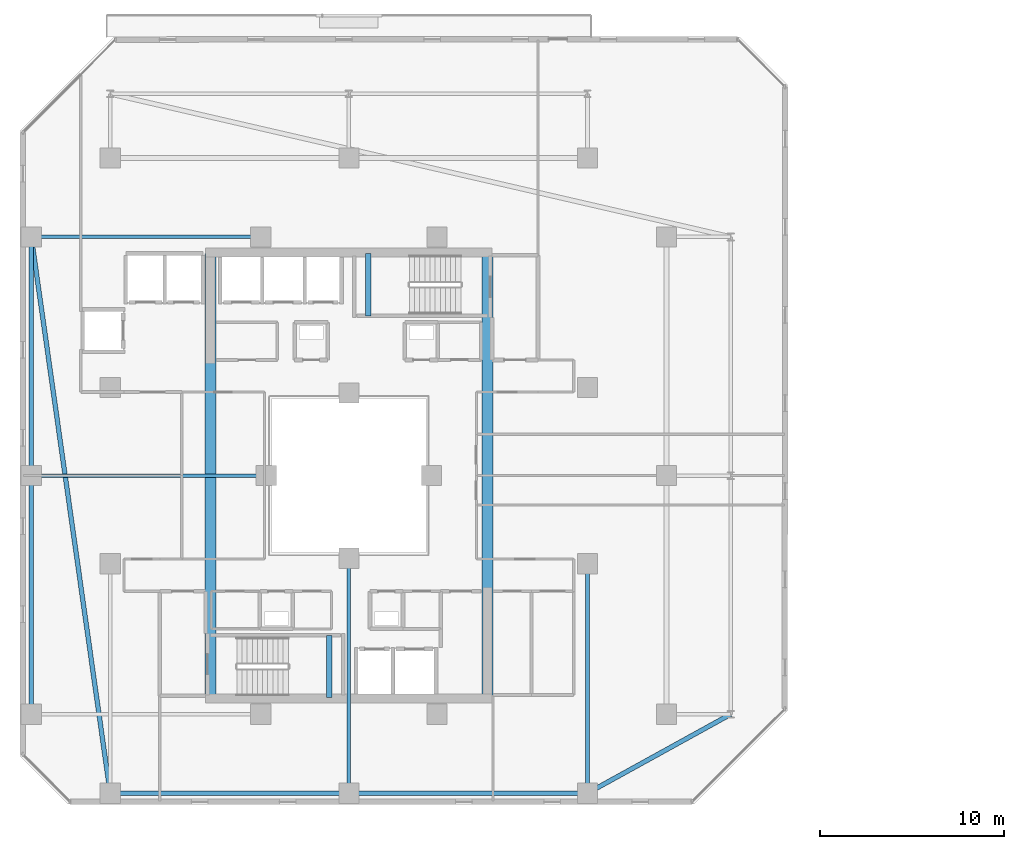
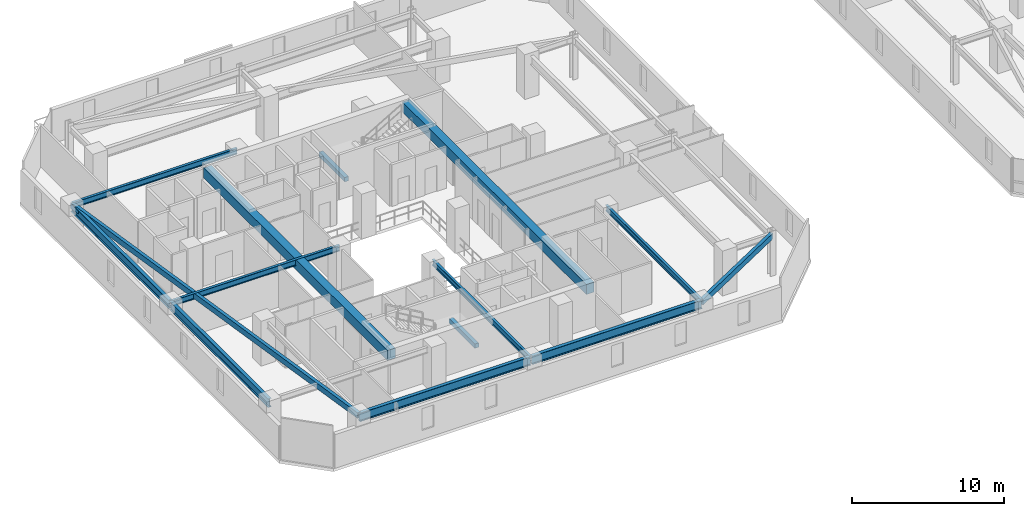
# One storey, part 4 of 33: 14 beams.
"""IFC4 building model written with IfcOpenShell, lengths in metres."""

from ifc_helpers import new_model, si_unit, direction, frame, origin, origin_2d, place, context, subcontext, project, spatial, rectangle, hollow_rectangle, i_section, extrude, material, material_profile, profile_set, type_object, element, save


model = new_model("IFC4")

# Units and contexts
model_context = context("Model", 3, precision=1e-05, world=origin(), true_north=direction((0.0, 1.0)))
body_context = subcontext(model_context, "Body", "Model", "MODEL_VIEW")
ifc_project = project(units=[si_unit("LENGTHUNIT", "METRE"), si_unit("AREAUNIT", "SQUARE_METRE"), si_unit("VOLUMEUNIT", "CUBIC_METRE"), si_unit("PLANEANGLEUNIT", "RADIAN"), si_unit("MASSUNIT", "GRAM", prefix="KILO")], contexts=[model_context])

# Site, building, storey
site_placement = place(None, origin())
site = spatial("IfcSite", under=ifc_project, at=site_placement, CompositionType="ELEMENT")
building_placement = place(site_placement, origin())
building = spatial("IfcBuilding", under=site, at=building_placement, Name="Thornwick Lancets Civic Towers", CompositionType="ELEMENT")
storey_placement = place(building_placement, frame((0.0, 0.0, 189.300048828125)))
storey = spatial("IfcBuildingStorey", under=building, at=storey_placement, Name="L50", CompositionType="ELEMENT", Elevation=189.300048828125)

# Beams
ifc_material_1 = material(Name="Concrete C60/75", Category="concrete")
ifc_material_profile_1 = material_profile(ifc_material_1, rectangle(XDim=0.60009765625, YDim=0.800048828125, at=origin_2d()), Name="RC 600x800")
ifc_profile_set_1 = profile_set([ifc_material_profile_1], Name="Concrete C60/75")
beam_type_1 = type_object("IfcBeamType", Name="BM_COUP_RC800", PredefinedType="BEAM", material=ifc_profile_set_1)
for number, where, z_axis, x_axis, name in (
    (1, (33.050048828125, 14.89990234375, 2.9599609375), (0.0, 1.0, 0.0), (-1.0, 0.0, 0.0), "CB-L50-A1"),
    (2, (17.949951171875, 14.89990234375, 2.9599609375), (0.0, 1.0, 0.0), (-1.0, 0.0, 0.0), "CB-L50-A2"),
):
    element("IfcBeam", number, at=place(storey_placement, frame(where, z_axis=z_axis, x_axis=x_axis)), inside=storey, type_object=beam_type_1, Name=name, PredefinedType="BEAM", context=body_context, shape_type="SweptSolid", body=[
        extrude(rectangle(XDim=0.60009765625, YDim=0.800048828125, at=origin_2d()), origin(), (0.0, 0.0, 1.0), 24.2001953125),
    ])
ifc_material_2 = material(Name="Steel S355JR", Category="steel")
ifc_material_profile_2 = material_profile(ifc_material_2, i_section(OverallWidth=0.255859375, OverallDepth=0.69287109375, WebThickness=0.014404296875, FlangeThickness=0.023681640625, FilletRadius=0.01513671875, at=origin_2d()), Name="UKB 686x254x170")
ifc_profile_set_2 = profile_set([ifc_material_profile_2], Name="Steel S355JR")
beam_type_2 = type_object("IfcBeamType", Name="BM_GIRD_686_170", PredefinedType="BEAM", material=ifc_profile_set_2)
beam_1_placement = place(storey_placement, frame((12.5, 9.699951171875, 3.013427734375), z_axis=(1.0, 0.0, 0.0), x_axis=(0.0, 1.0, 0.0)))
element("IfcBeam", 3, at=beam_1_placement, inside=storey, type_object=beam_type_2, Name="BM-SPINE-L50-A-0-1", PredefinedType="BEAM", context=body_context, shape_type="SweptSolid", body=[
    extrude(i_section(OverallWidth=0.255859375, OverallDepth=0.69287109375, WebThickness=0.014404296875, FlangeThickness=0.023681640625, FilletRadius=0.01513671875, at=origin_2d()), origin(), (0.0, 0.0, 1.0), 13.0),
])
beam_2_placement = place(storey_placement, frame((25.580078125, 9.699951171875, 3.013427734375), z_axis=(1.0, 0.0, 0.0), x_axis=(0.0, 1.0, 0.0)))
element("IfcBeam", 4, at=beam_2_placement, inside=storey, type_object=beam_type_2, Name="BM-SPINE-L50-A-1-2", PredefinedType="BEAM", context=body_context, shape_type="SweptSolid", body=[
    extrude(i_section(OverallWidth=0.255859375, OverallDepth=0.69287109375, WebThickness=0.014404296875, FlangeThickness=0.023681640625, FilletRadius=0.01513671875, at=origin_2d()), origin(), (0.0, 0.0, 1.0), 12.919921875),
])
beam_3_placement = place(storey_placement, frame((8.199951171875, 14.0, 3.013427734375), z_axis=(0.0, 1.0, 0.0), x_axis=(-1.0, 0.0, 0.0)))
element("IfcBeam", 5, at=beam_3_placement, inside=storey, type_object=beam_type_2, Name="BM-SPINE-L50-A-9-10", PredefinedType="BEAM", context=body_context, shape_type="SweptSolid", body=[
    extrude(i_section(OverallWidth=0.255859375, OverallDepth=0.69287109375, WebThickness=0.014404296875, FlangeThickness=0.023681640625, FilletRadius=0.01513671875, at=origin_2d()), origin(), (0.0, 0.0, 1.0), 13.0),
])
beam_4_placement = place(storey_placement, frame((8.199951171875, 27.080078125, 3.013427734375), z_axis=(0.0, 1.0, 0.0), x_axis=(-1.0, 0.0, 0.0)))
element("IfcBeam", 6, at=beam_4_placement, inside=storey, type_object=beam_type_2, Name="BM-SPINE-L50-A-10-11", PredefinedType="BEAM", context=body_context, shape_type="SweptSolid", body=[
    extrude(i_section(OverallWidth=0.255859375, OverallDepth=0.69287109375, WebThickness=0.014404296875, FlangeThickness=0.023681640625, FilletRadius=0.01513671875, at=origin_2d()), origin(), (0.0, 0.0, 1.0), 12.919921875),
])
ifc_material_profile_3 = material_profile(ifc_material_2, i_section(OverallWidth=0.19287109375, OverallDepth=0.46728515625, WebThickness=0.011474609375, FlangeThickness=0.01953125, FilletRadius=0.01025390625, at=origin_2d()), Name="UKB 457x191x98")
ifc_profile_set_3 = profile_set([ifc_material_profile_3], Name="Steel S355JR")
beam_type_3 = type_object("IfcBeamType", Name="BM_JOIST_457_98", PredefinedType="JOIST", material=ifc_profile_set_3)
beam_5_placement = place(storey_placement, frame((25.5, 22.5, 3.12646484375), z_axis=(0.0, -1.0, 0.0), x_axis=(1.0, 0.0, 0.0)))
element("IfcBeam", 7, at=beam_5_placement, inside=storey, type_object=beam_type_3, Name="BM-RADIN-L50-A02", PredefinedType="JOIST", context=body_context, shape_type="SweptSolid", body=[
    extrude(i_section(OverallWidth=0.19287109375, OverallDepth=0.46728515625, WebThickness=0.011474609375, FlangeThickness=0.01953125, FilletRadius=0.01025390625, at=origin_2d()), origin(), (0.0, 0.0, 1.0), 12.800048828125),
])
beam_6_placement = place(storey_placement, frame((38.5, 22.199951171875, 3.12646484375), z_axis=(0.0, -1.0, 0.0), x_axis=(1.0, 0.0, 0.0)))
element("IfcBeam", 8, at=beam_6_placement, inside=storey, type_object=beam_type_3, Name="BM-RADIN-L50-A03", PredefinedType="JOIST", context=body_context, shape_type="SweptSolid", body=[
    extrude(i_section(OverallWidth=0.19287109375, OverallDepth=0.46728515625, WebThickness=0.011474609375, FlangeThickness=0.01953125, FilletRadius=0.01025390625, at=origin_2d()), origin(), (0.0, 0.0, 1.0), 12.5),
])
beam_7_placement = place(storey_placement, frame((21.0, 27.0, 3.12646484375), z_axis=(-1.0, 0.0, 0.0), x_axis=(0.0, -1.0, 0.0)))
element("IfcBeam", 9, at=beam_7_placement, inside=storey, type_object=beam_type_3, Name="BM-RADIN-L50-A11", PredefinedType="JOIST", context=body_context, shape_type="SweptSolid", body=[
    extrude(i_section(OverallWidth=0.19287109375, OverallDepth=0.46728515625, WebThickness=0.011474609375, FlangeThickness=0.01953125, FilletRadius=0.01025390625, at=origin_2d()), origin(), (0.0, 0.0, 1.0), 12.800048828125),
])
beam_8_placement = place(storey_placement, frame((20.699951171875, 40.0, 3.12646484375), z_axis=(-1.0, 0.0, 0.0), x_axis=(0.0, -1.0, 0.0)))
element("IfcBeam", 10, at=beam_8_placement, inside=storey, type_object=beam_type_3, Name="BM-RADIN-L50-A12", PredefinedType="JOIST", context=body_context, shape_type="SweptSolid", body=[
    extrude(i_section(OverallWidth=0.19287109375, OverallDepth=0.46728515625, WebThickness=0.011474609375, FlangeThickness=0.01953125, FilletRadius=0.01025390625, at=origin_2d()), origin(), (0.0, 0.0, 1.0), 12.5),
])
ifc_material_profile_4 = material_profile(ifc_material_2, hollow_rectangle(XDim=0.25, YDim=0.449951171875, WallThickness=0.01611328125, at=origin_2d()), Name="RHS 450x250x16")
ifc_profile_set_4 = profile_set([ifc_material_profile_4], Name="Steel S355JR")
beam_type_4 = type_object("IfcBeamType", Name="BM_RING_RHS450", PredefinedType="BEAM", material=ifc_profile_set_4)
beam_9_placement = place(storey_placement, frame((38.5, 9.699951171875, 3.135009765625), z_axis=(0.875740348708, 0.482782395749, 0.0), x_axis=(-0.482782395749, 0.875740348708, 0.0)))
element("IfcBeam", 11, at=beam_9_placement, inside=storey, type_object=beam_type_4, Name="BM-CHAMF-L50-A-C0", PredefinedType="BEAM", context=body_context, shape_type="SweptSolid", body=[
    extrude(hollow_rectangle(XDim=0.25, YDim=0.449951171875, WallThickness=0.01611328125, at=origin_2d()), origin(), (0.0, 0.0, 1.0), 8.90673828125),
])
beam_10_placement = place(storey_placement, frame((8.199951171875, 40.0, 3.135009765625), z_axis=(0.140507712682, -0.990079584012, 0.0), x_axis=(0.990079584012, 0.140507712682, 0.0)))
element("IfcBeam", 12, at=beam_10_placement, inside=storey, type_object=beam_type_4, Name="BM-CHAMF-L50-A-C3", PredefinedType="BEAM", context=body_context, shape_type="SweptSolid", body=[
    extrude(hollow_rectangle(XDim=0.25, YDim=0.449951171875, WallThickness=0.01611328125, at=origin_2d()), origin(), (0.0, 0.0, 1.0), 30.603759765625),
])
ifc_material_3 = material(Name="Concrete C40/50", Category="concrete")
ifc_material_profile_5 = material_profile(ifc_material_3, rectangle(XDim=0.300048828125, YDim=0.35009765625, at=origin_2d()), Name="RC 300x350")
ifc_profile_set_5 = profile_set([ifc_material_profile_5], Name="Concrete C40/50")
beam_type_5 = type_object("IfcBeamType", Name="BM_STAIR_LDG", PredefinedType="BEAM", material=ifc_profile_set_5)
for number, where, z_axis, x_axis, name in (
    (13, (24.43505859375, 14.89990234375, 1.3779296875), (0.0, 1.0, 0.0), (-1.0, 0.0, 0.0), "L50 ST-A1 Landing Support Beam 1"),
    (14, (26.56494140625, 39.10009765625, 1.3779296875), (0.0, -1.0, 0.0), (1.0, 0.0, 0.0), "L50 ST-A2 Landing Support Beam 1"),
):
    element("IfcBeam", number, at=place(storey_placement, frame(where, z_axis=z_axis, x_axis=x_axis)), inside=storey, type_object=beam_type_5, Name=name, PredefinedType="BEAM", context=body_context, shape_type="SweptSolid", body=[
        extrude(rectangle(XDim=0.300048828125, YDim=0.35009765625, at=origin_2d()), origin(), (0.0, 0.0, 1.0), 3.400146484375),
    ])

save(model, "model.ifc")
